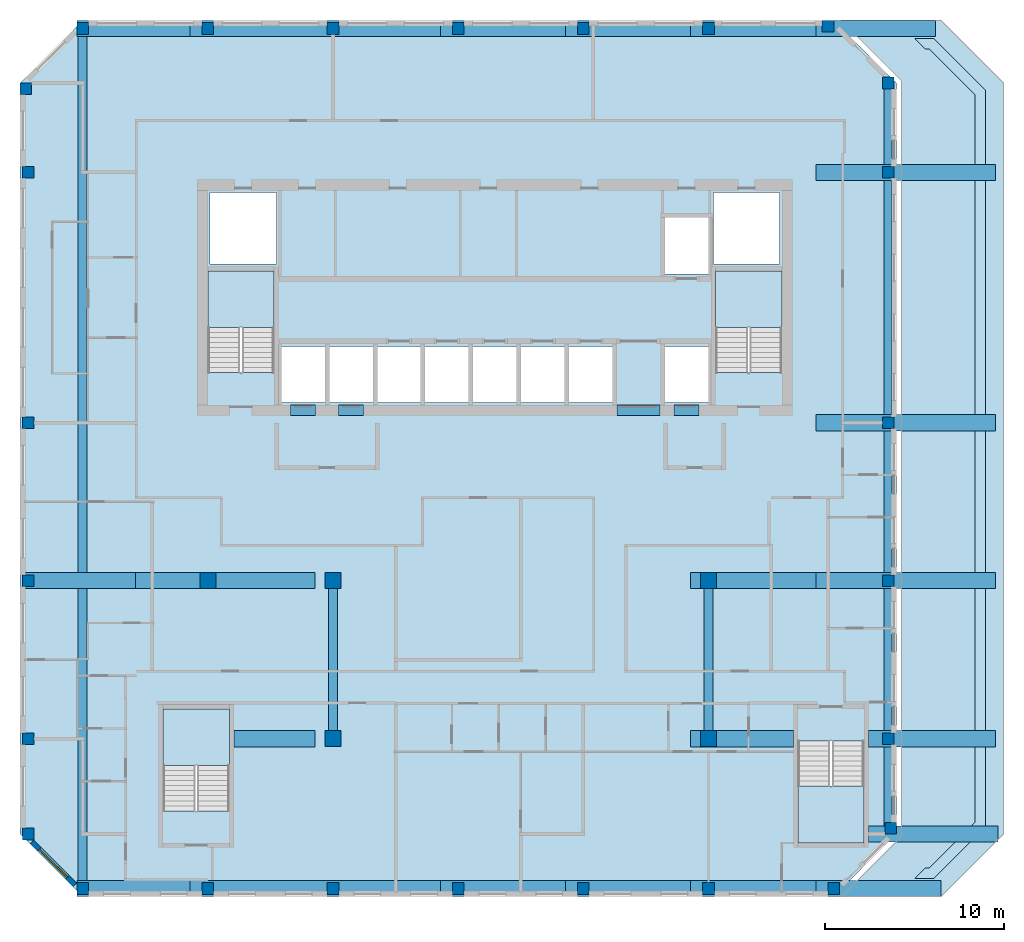
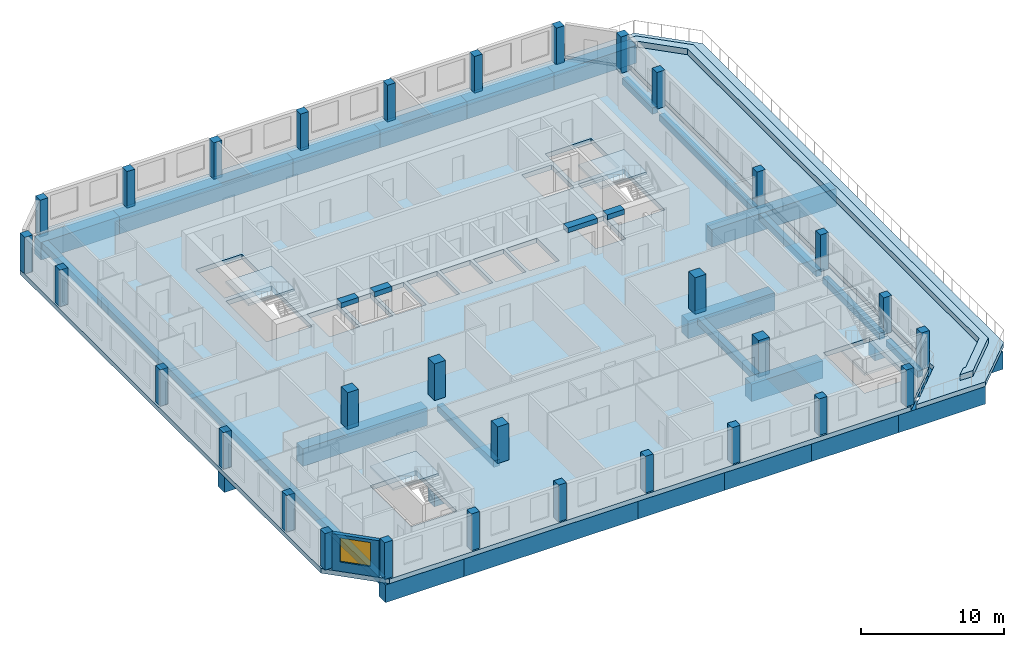
# One storey, part 1 of 13: 34 beams, 31 columns, 7 slabs, 1 wall, 1 window, 1 opening, 4 elements without a shape of their own.
"""IFC4 building model written with IfcOpenShell, lengths in metres."""

from ifc_helpers import new_model, si_unit, direction, frame, frame_2d, origin, origin_2d, place, context, subcontext, project, spatial, polyline, rectangle, outline, extrude, source, transform, mapped, material, layer, layer_set, material_profile, profile_set, type_object, element, fill, aggregate, save


model = new_model("IFC4")

# Units and contexts
model_context = context("Model", 3, precision=1e-05, world=origin(), true_north=direction((0.0, 1.0)))
body_context = subcontext(model_context, "Body", "Model", "MODEL_VIEW")
ifc_project = project(units=[si_unit("LENGTHUNIT", "METRE"), si_unit("AREAUNIT", "SQUARE_METRE"), si_unit("VOLUMEUNIT", "CUBIC_METRE"), si_unit("PLANEANGLEUNIT", "RADIAN"), si_unit("MASSUNIT", "GRAM", prefix="KILO")], contexts=[model_context])

# Site, building, storey
site_placement = place(None, origin())
site = spatial("IfcSite", under=ifc_project, at=site_placement, CompositionType="ELEMENT")
building_placement = place(site_placement, origin())
building = spatial("IfcBuilding", under=site, at=building_placement, Name="Kilnfold Tower and Market Hall", CompositionType="ELEMENT")
storey_placement = place(building_placement, frame((0.0, 0.0, 267.0)))
storey = spatial("IfcBuildingStorey", under=building, at=storey_placement, Name="L65", CompositionType="ELEMENT", Elevation=267.0)

# Columns
ifc_material_1 = material(Name="Concrete C60", Category="concrete")
ifc_material_profile_1 = material_profile(ifc_material_1, rectangle(XDim=0.64990234375, YDim=0.64990234375, at=origin_2d()), Name="RC 650x650")
ifc_profile_set_1 = profile_set([ifc_material_profile_1], Name="Concrete C60")
column_type_1 = type_object("IfcColumnType", Name="COLUMN 650X650 C60", PredefinedType="COLUMN", material=ifc_profile_set_1)
shared_shape_1 = source(origin(), body_context, "Body", "SweptSolid", [
    extrude(rectangle(XDim=0.64990234375, YDim=0.64990234375, at=origin_2d()), origin(), (0.0, 0.0, 1.0), 3.1201171875),
])
for number, where, z_axis, x_axis, name in (
    (1, (-25.181884765625, 26.681884765625, 0.0), (0.0, 0.0, 1.0), (1.0, 0.0, 0.0), "Column C-B8-1G"),
    (2, (-25.050048828125, -15.0, 0.0), (0.0, 0.0, 1.0), (1.0, 0.0, 0.0), "Column C-B8-1B"),
    (3, (-25.050048828125, -9.666748046875, 0.0), (0.0, 0.0, 1.0), (1.0, 0.0, 0.0), "Column C-B8-1C"),
    (4, (-25.050048828125, -0.833251953125, 0.0), (0.0, 0.0, 1.0), (1.0, 0.0, 0.0), "Column C-B8-1D"),
    (5, (-25.050048828125, 8.0, 0.0), (0.0, 0.0, 1.0), (1.0, 0.0, 0.0), "Column C-B8-1E"),
    (6, (-25.050048828125, 22.0, 0.0), (0.0, 0.0, 1.0), (1.0, 0.0, 0.0), "Column C-B8-1F"),
    (7, (-22.0, -18.050048828125, 0.0), (0.0, 0.0, 1.0), (1.0, 0.0, 0.0), "Column C-B8-2A"),
    (8, (-22.0, 30.050048828125, 0.0), (0.0, 0.0, 1.0), (1.0, 0.0, 0.0), "Column C-B8-2H"),
    (9, (-15.0, -18.050048828125, 0.0), (0.0, 0.0, 1.0), (1.0, 0.0, 0.0), "Column C-B8-3A"),
    (10, (-15.0, 30.050048828125, 0.0), (0.0, 0.0, 1.0), (1.0, 0.0, 0.0), "Column C-B8-3H"),
    (11, (-8.0, -18.050048828125, 0.0), (0.0, 0.0, 1.0), (1.0, 0.0, 0.0), "Column C-B8-4A"),
    (12, (-8.0, 30.050048828125, 0.0), (0.0, 0.0, 1.0), (1.0, 0.0, 0.0), "Column C-B8-4H"),
    (13, (-1.0, -18.050048828125, 0.0), (0.0, 0.0, 1.0), (1.0, 0.0, 0.0), "Column C-B8-5A"),
    (14, (-1.0, 30.050048828125, 0.0), (0.0, 0.0, 1.0), (1.0, 0.0, 0.0), "Column C-B8-5H"),
    (15, (6.0, -18.050048828125, 0.0), (0.0, 0.0, 1.0), (1.0, 0.0, 0.0), "Column C-B8-6A"),
    (16, (6.0, 30.050048828125, 0.0), (0.0, 0.0, 1.0), (1.0, 0.0, 0.0), "Column C-B8-6H"),
    (17, (13.0, -18.050048828125, 0.0), (0.0, 0.0, 1.0), (1.0, 0.0, 0.0), "Column C-B8-7A"),
    (18, (13.0, 30.050048828125, 0.0), (0.0, 0.0, 1.0), (1.0, 0.0, 0.0), "Column C-B8-7H"),
    (19, (19.681884765625, 30.181884765625, 0.0), (0.0, 0.0, 1.0), (1.0, 0.0, 0.0), "Column C-B8-8H"),
    (20, (20.0, -18.050048828125, 0.0), (0.0, 0.0, 1.0), (1.0, 0.0, 0.0), "Column C-B8-8A"),
    (21, (23.050048828125, -9.666748046875, 0.0), (0.0, 0.0, 1.0), (1.0, 0.0, 0.0), "Column C-B8-9C"),
    (22, (23.050048828125, -0.833251953125, 0.0), (0.0, 0.0, 1.0), (1.0, 0.0, 0.0), "Column C-B8-9D"),
    (23, (23.050048828125, 8.0, 0.0), (0.0, 0.0, 1.0), (1.0, 0.0, 0.0), "Column C-B8-9E"),
    (24, (23.050048828125, 22.0, 0.0), (0.0, 0.0, 1.0), (1.0, 0.0, 0.0), "Column C-B8-9F"),
    (25, (23.050048828125, 27.0, 0.0), (0.0, 0.0, 1.0), (1.0, 0.0, 0.0), "Column C-B8-9G"),
    (26, (23.181884765625, -14.681884765625, 0.0), (0.0, 0.0, 1.0), (1.0, 0.0, 0.0), "Column C-B8-9B"),
):
    element("IfcColumn", number, at=place(storey_placement, frame(where, z_axis=z_axis, x_axis=x_axis)), inside=storey, type_object=column_type_1, Name=name, PredefinedType="COLUMN", context=body_context, shape_type="MappedRepresentation", body=[
        mapped(shared_shape_1, transform((0.0, 0.0, 0.0))),
    ])
ifc_material_2 = material(Name="Concrete C60", Category="concrete")
ifc_material_profile_2 = material_profile(ifc_material_2, rectangle(XDim=0.89990234375, YDim=0.89990234375, at=origin_2d()), Name="RC 900x900")
ifc_profile_set_2 = profile_set([ifc_material_profile_2], Name="Concrete C60")
column_type_2 = type_object("IfcColumnType", Name="COLUMN 900X900 C60", PredefinedType="COLUMN", material=ifc_profile_set_2)
shared_shape_2 = source(origin(), body_context, "Body", "SweptSolid", [
    extrude(rectangle(XDim=0.89990234375, YDim=0.89990234375, at=origin_2d()), origin(), (0.0, 0.0, 1.0), 3.1201171875),
])
for number, where, z_axis, x_axis, name in (
    (27, (-15.0, -0.833251953125, 0.0), (0.0, 0.0, 1.0), (1.0, 0.0, 0.0), "Column C-B8-3D"),
    (28, (-8.0, -9.666748046875, 0.0), (0.0, 0.0, 1.0), (1.0, 0.0, 0.0), "Column C-B8-4C"),
    (29, (-8.0, -0.833251953125, 0.0), (0.0, 0.0, 1.0), (1.0, 0.0, 0.0), "Column C-B8-4D"),
    (30, (13.0, -9.666748046875, 0.0), (0.0, 0.0, 1.0), (1.0, 0.0, 0.0), "Column C-B8-7C"),
    (31, (13.0, -0.833251953125, 0.0), (0.0, 0.0, 1.0), (1.0, 0.0, 0.0), "Column C-B8-7D"),
):
    element("IfcColumn", number, at=place(storey_placement, frame(where, z_axis=z_axis, x_axis=x_axis)), inside=storey, type_object=column_type_2, Name=name, PredefinedType="COLUMN", context=body_context, shape_type="MappedRepresentation", body=[
        mapped(shared_shape_2, transform((0.0, 0.0, 0.0))),
    ])

# Beams
ifc_material_3 = material(Name="Concrete C60", Category="concrete")
ifc_material_profile_3 = material_profile(ifc_material_3, rectangle(XDim=0.89990234375, YDim=1.5, at=origin_2d()), Name="RC 900x1500")
ifc_profile_set_3 = profile_set([ifc_material_profile_3], Name="Concrete C60")
beam_type_1 = type_object("IfcBeamType", Name="TRANSFER GIRDER 900X1500 C60", PredefinedType="BEAM", material=ifc_profile_set_3)
shared_shape_3 = source(origin(), body_context, "Body", "SweptSolid", [
    extrude(rectangle(XDim=0.89990234375, YDim=1.5, at=origin_2d()), origin(), (0.0, 0.0, 1.0), 10.050048828125),
])
for number, where, z_axis, x_axis, name in (
    (32, (-19.050048828125, -0.830078125, -1.14990234375), (1.0, 0.0, 0.0), (0.0, 1.0, 0.0), "Beam TG1500-B8.4"),
    (33, (19.0, -0.830078125, -1.14990234375), (1.0, 0.0, 0.0), (0.0, 1.0, 0.0), "Beam TG1500-B8.17"),
    (34, (19.0, 8.0, -1.14990234375), (1.0, 0.0, 0.0), (0.0, 1.0, 0.0), "Beam TG1500-B8.18"),
    (35, (19.0, 22.0, -1.14990234375), (1.0, 0.0, 0.0), (0.0, 1.0, 0.0), "Beam TG1500-B8.19"),
):
    element("IfcBeam", number, at=place(storey_placement, frame(where, z_axis=z_axis, x_axis=x_axis)), inside=storey, type_object=beam_type_1, Name=name, PredefinedType="BEAM", context=body_context, shape_type="MappedRepresentation", body=[
        mapped(shared_shape_3, transform((0.0, 0.0, 0.0))),
    ])
shared_shape_4 = source(origin(), body_context, "Body", "SweptSolid", [
    extrude(rectangle(XDim=0.89990234375, YDim=1.5, at=origin_2d()), origin(), (0.0, 0.0, 1.0), 7.0),
])
for number, where, z_axis, x_axis, name in (
    (36, (-2.0, -18.050048828125, -1.14990234375), (1.0, 0.0, 0.0), (0.0, 1.0, 0.0), "Beam TG1500-B8.8"),
    (37, (-2.0, 30.050048828125, -1.14990234375), (1.0, 0.0, 0.0), (0.0, 1.0, 0.0), "Beam TG1500-B8.9"),
    (38, (5.0, -18.050048828125, -1.14990234375), (1.0, 0.0, 0.0), (0.0, 1.0, 0.0), "Beam TG1500-B8.10"),
    (39, (5.0, 30.050048828125, -1.14990234375), (1.0, 0.0, 0.0), (0.0, 1.0, 0.0), "Beam TG1500-B8.11"),
    (40, (12.0, -18.050048828125, -1.14990234375), (1.0, 0.0, 0.0), (0.0, 1.0, 0.0), "Beam TG1500-B8.12"),
    (41, (12.0, -0.830078125, -1.14990234375), (1.0, 0.0, 0.0), (0.0, 1.0, 0.0), "Beam TG1500-B8.14"),
    (42, (12.0, 30.050048828125, -1.14990234375), (1.0, 0.0, 0.0), (0.0, 1.0, 0.0), "Beam TG1500-B8.15"),
    (43, (19.0, -18.050048828125, -1.14990234375), (1.0, 0.0, 0.0), (0.0, 1.0, 0.0), "Beam TG1500-B8.16"),
):
    element("IfcBeam", number, at=place(storey_placement, frame(where, z_axis=z_axis, x_axis=x_axis)), inside=storey, type_object=beam_type_1, Name=name, PredefinedType="BEAM", context=body_context, shape_type="MappedRepresentation", body=[
        mapped(shared_shape_4, transform((0.0, 0.0, 0.0))),
    ])
shared_shape_5 = source(origin(), body_context, "Body", "SweptSolid", [
    extrude(rectangle(XDim=0.89990234375, YDim=1.5, at=origin_2d()), origin(), (0.0, 0.0, 1.0), 14.0),
])
for number, where, z_axis, x_axis, name in (
    (44, (-16.0, -18.050048828125, -1.14990234375), (1.0, 0.0, 0.0), (0.0, 1.0, 0.0), "Beam TG1500-B8.5"),
    (45, (-16.0, 30.050048828125, -1.14990234375), (1.0, 0.0, 0.0), (0.0, 1.0, 0.0), "Beam TG1500-B8.6"),
):
    element("IfcBeam", number, at=place(storey_placement, frame(where, z_axis=z_axis, x_axis=x_axis)), inside=storey, type_object=beam_type_1, Name=name, PredefinedType="BEAM", context=body_context, shape_type="MappedRepresentation", body=[
        mapped(shared_shape_5, transform((0.0, 0.0, 0.0))),
    ])
shared_shape_6 = source(origin(), body_context, "Body", "SweptSolid", [
    extrude(rectangle(XDim=0.89990234375, YDim=1.5, at=origin_2d()), origin(), (0.0, 0.0, 1.0), 5.75),
])
beam_1_placement = place(storey_placement, frame((12.0, -9.669921875, -1.14990234375), z_axis=(1.0, 0.0, 0.0), x_axis=(0.0, 1.0, 0.0)))
element("IfcBeam", 46, at=beam_1_placement, inside=storey, type_object=beam_type_1, Name="Beam TG1500-B8.13", PredefinedType="BEAM", context=body_context, shape_type="MappedRepresentation", body=[
    mapped(shared_shape_6, transform((0.0, 0.0, 0.0))),
])
ifc_material_4 = material(Name="Concrete C50", Category="concrete")
ifc_material_profile_4 = material_profile(ifc_material_4, rectangle(XDim=0.60009765625, YDim=0.419921875, at=origin_2d()), Name="RC 600x420")
ifc_profile_set_4 = profile_set([ifc_material_profile_4], Name="Concrete C50")
beam_type_2 = type_object("IfcBeamType", Name="COUPLING BEAM 600X420 C50", PredefinedType="BEAM", material=ifc_profile_set_4)
shared_shape_7 = source(origin(), body_context, "Body", "SweptSolid", [
    extrude(rectangle(XDim=0.60009765625, YDim=0.419921875, at=origin_2d()), origin(), (0.0, 0.0, 1.0), 1.400146484375),
])
beam_2_placement = place(storey_placement, frame((-10.3701171875, 8.699951171875, 2.909912109375), z_axis=(1.0, 0.0, 0.0), x_axis=(0.0, 1.0, 0.0)))
element("IfcBeam", 47, at=beam_2_placement, inside=storey, type_object=beam_type_2, Name="Coupling beam CB420-50-CORE.30", PredefinedType="BEAM", context=body_context, shape_type="MappedRepresentation", body=[
    mapped(shared_shape_7, transform((0.0, 0.0, 0.0))),
])
shared_shape_8 = source(origin(), body_context, "Body", "SweptSolid", [
    extrude(rectangle(XDim=0.60009765625, YDim=0.419921875, at=origin_2d()), origin(), (0.0, 0.0, 1.0), 1.39990234375),
])
for number, where, z_axis, x_axis, name in (
    (48, (-7.68994140625, 8.699951171875, 2.909912109375), (1.0, 0.0, 0.0), (0.0, 1.0, 0.0), "Coupling beam CB420-50-CORE.31"),
    (49, (11.070068359375, 8.699951171875, 2.909912109375), (1.0, 0.0, 0.0), (0.0, 1.0, 0.0), "Coupling beam CB420-50-CORE.33"),
):
    element("IfcBeam", number, at=place(storey_placement, frame(where, z_axis=z_axis, x_axis=x_axis)), inside=storey, type_object=beam_type_2, Name=name, PredefinedType="BEAM", context=body_context, shape_type="MappedRepresentation", body=[
        mapped(shared_shape_8, transform((0.0, 0.0, 0.0))),
    ])
shared_shape_9 = source(origin(), body_context, "Body", "SweptSolid", [
    extrude(rectangle(XDim=0.60009765625, YDim=0.419921875, at=origin_2d()), origin(), (0.0, 0.0, 1.0), 2.400146484375),
])
beam_3_placement = place(storey_placement, frame((7.889892578125, 8.699951171875, 2.909912109375), z_axis=(1.0, 0.0, 0.0), x_axis=(0.0, 1.0, 0.0)))
element("IfcBeam", 50, at=beam_3_placement, inside=storey, type_object=beam_type_2, Name="Coupling beam CB420-50-CORE.32", PredefinedType="BEAM", context=body_context, shape_type="MappedRepresentation", body=[
    mapped(shared_shape_9, transform((0.0, 0.0, 0.0))),
])
shared_shape_10 = source(origin(), body_context, "Body", "SweptSolid", [
    extrude(rectangle(XDim=0.89990234375, YDim=1.5, at=origin_2d()), origin(), (0.0, 0.0, 1.0), 6.324951171875),
])
for number, where, z_axis, x_axis, name in (
    (51, (-25.375, -0.830078125, -1.14990234375), (1.0, 0.0, 0.0), (0.0, 1.0, 0.0), "Beam TG1500-B8.1"),
    (52, (-22.324951171875, -18.050048828125, -1.14990234375), (1.0, 0.0, 0.0), (0.0, 1.0, 0.0), "Beam TG1500-B8.2"),
    (53, (-22.324951171875, 30.050048828125, -1.14990234375), (1.0, 0.0, 0.0), (0.0, 1.0, 0.0), "Beam TG1500-B8.3"),
):
    element("IfcBeam", number, at=place(storey_placement, frame(where, z_axis=z_axis, x_axis=x_axis)), inside=storey, type_object=beam_type_1, Name=name, PredefinedType="BEAM", context=body_context, shape_type="MappedRepresentation", body=[
        mapped(shared_shape_10, transform((0.0, 0.0, 0.0))),
    ])
shared_shape_11 = source(origin(), body_context, "Body", "SweptSolid", [
    extrude(rectangle(XDim=0.89990234375, YDim=1.5, at=origin_2d()), origin(), (0.0, 0.0, 1.0), 4.550048828125),
])
beam_4_placement = place(storey_placement, frame((-13.550048828125, -9.669921875, -1.14990234375), z_axis=(1.0, 0.0, 0.0), x_axis=(0.0, 1.0, 0.0)))
element("IfcBeam", 54, at=beam_4_placement, inside=storey, type_object=beam_type_1, Name="Beam TG1500-B8.7", PredefinedType="BEAM", context=body_context, shape_type="MappedRepresentation", body=[
    mapped(shared_shape_11, transform((0.0, 0.0, 0.0))),
])
shared_shape_12 = source(origin(), body_context, "Body", "SweptSolid", [
    extrude(rectangle(XDim=0.89990234375, YDim=1.5, at=origin_2d()), origin(), (0.0, 0.0, 1.0), 6.681884765625),
])
beam_5_placement = place(storey_placement, frame((19.0, 30.050048828125, -1.14990234375), z_axis=(1.0, 0.0, 0.0), x_axis=(0.0, 1.0, 0.0)))
element("IfcBeam", 55, at=beam_5_placement, inside=storey, type_object=beam_type_1, Name="Beam TG1500-B8.20", PredefinedType="BEAM", context=body_context, shape_type="MappedRepresentation", body=[
    mapped(shared_shape_12, transform((0.0, 0.0, 0.0))),
])
shared_shape_13 = source(origin(), body_context, "Body", "SweptSolid", [
    extrude(rectangle(XDim=0.89990234375, YDim=1.5, at=origin_2d()), origin(), (0.0, 0.0, 1.0), 7.23193359375),
])
beam_6_placement = place(storey_placement, frame((21.949951171875, -15.0, -1.14990234375), z_axis=(1.0, 0.0, 0.0), x_axis=(0.0, 1.0, 0.0)))
element("IfcBeam", 56, at=beam_6_placement, inside=storey, type_object=beam_type_1, Name="Beam TG1500-B8.21", PredefinedType="BEAM", context=body_context, shape_type="MappedRepresentation", body=[
    mapped(shared_shape_13, transform((0.0, 0.0, 0.0))),
])
shared_shape_14 = source(origin(), body_context, "Body", "SweptSolid", [
    extrude(rectangle(XDim=0.89990234375, YDim=1.5, at=origin_2d()), origin(), (0.0, 0.0, 1.0), 7.10009765625),
])
beam_7_placement = place(storey_placement, frame((21.949951171875, -9.669921875, -1.14990234375), z_axis=(1.0, 0.0, 0.0), x_axis=(0.0, 1.0, 0.0)))
element("IfcBeam", 57, at=beam_7_placement, inside=storey, type_object=beam_type_1, Name="Beam TG1500-B8.22", PredefinedType="BEAM", context=body_context, shape_type="MappedRepresentation", body=[
    mapped(shared_shape_14, transform((0.0, 0.0, 0.0))),
])
ifc_material_5 = material(Name="Concrete C45", Category="concrete")
ifc_material_profile_5 = material_profile(ifc_material_5, rectangle(XDim=0.5, YDim=0.550048828125, at=origin_2d()), Name="RC 500x550")
ifc_profile_set_5 = profile_set([ifc_material_profile_5], Name="Concrete C45")
beam_type_3 = type_object("IfcBeamType", Name="BEAM 500X550 C45", PredefinedType="BEAM", material=ifc_profile_set_5)
shared_shape_15 = source(origin(), body_context, "Body", "SweptSolid", [
    extrude(rectangle(XDim=0.5, YDim=0.550048828125, at=origin_2d()), origin(), (0.0, 0.0, 1.0), 47.2001953125),
])
beam_8_placement = place(storey_placement, frame((-22.0, -17.60009765625, -0.675048828125), z_axis=(0.0, 1.0, 0.0), x_axis=(-1.0, 0.0, 0.0)))
element("IfcBeam", 58, at=beam_8_placement, inside=storey, type_object=beam_type_3, Name="Beam BB550-B8.23", PredefinedType="BEAM", context=body_context, shape_type="MappedRepresentation", body=[
    mapped(shared_shape_15, transform((0.0, 0.0, 0.0))),
])
shared_shape_16 = source(origin(), body_context, "Body", "SweptSolid", [
    extrude(rectangle(XDim=0.5, YDim=0.550048828125, at=origin_2d()), origin(), (0.0, 0.0, 1.0), 7.93994140625),
])
for number, where, z_axis, x_axis, name in (
    (59, (-8.0, -9.219970703125, -0.675048828125), (0.0, 1.0, 0.0), (-1.0, 0.0, 0.0), "Beam BB550-B8.24"),
    (60, (13.0, -9.219970703125, -0.675048828125), (0.0, 1.0, 0.0), (-1.0, 0.0, 0.0), "Beam BB550-B8.25"),
):
    element("IfcBeam", number, at=place(storey_placement, frame(where, z_axis=z_axis, x_axis=x_axis)), inside=storey, type_object=beam_type_3, Name=name, PredefinedType="BEAM", context=body_context, shape_type="MappedRepresentation", body=[
        mapped(shared_shape_16, transform((0.0, 0.0, 0.0))),
    ])
ifc_material_6 = material(Name="Concrete C45", Category="concrete")
ifc_material_profile_6 = material_profile(ifc_material_6, rectangle(XDim=0.449951171875, YDim=0.550048828125, at=origin_2d()), Name="RC 450x550")
ifc_profile_set_6 = profile_set([ifc_material_profile_6], Name="Concrete C45")
beam_type_4 = type_object("IfcBeamType", Name="EDGE BEAM 450X550 C45", PredefinedType="BEAM", material=ifc_profile_set_6)
shared_shape_17 = source(origin(), body_context, "Body", "SweptSolid", [
    extrude(rectangle(XDim=0.449951171875, YDim=0.550048828125, at=origin_2d()), origin(), (0.0, 0.0, 1.0), 4.429931640625),
])
beam_9_placement = place(storey_placement, frame((23.050048828125, -14.550048828125, -0.675048828125), z_axis=(0.0, 1.0, 0.0), x_axis=(-1.0, 0.0, 0.0)))
element("IfcBeam", 61, at=beam_9_placement, inside=storey, type_object=beam_type_4, Name="Beam EB550-B8.26", PredefinedType="BEAM", context=body_context, shape_type="MappedRepresentation", body=[
    mapped(shared_shape_17, transform((0.0, 0.0, 0.0))),
])
shared_shape_18 = source(origin(), body_context, "Body", "SweptSolid", [
    extrude(rectangle(XDim=0.449951171875, YDim=0.550048828125, at=origin_2d()), origin(), (0.0, 0.0, 1.0), 7.93994140625),
])
beam_10_placement = place(storey_placement, frame((23.050048828125, -9.219970703125, -0.675048828125), z_axis=(0.0, 1.0, 0.0), x_axis=(-1.0, 0.0, 0.0)))
element("IfcBeam", 62, at=beam_10_placement, inside=storey, type_object=beam_type_4, Name="Beam EB550-B8.27", PredefinedType="BEAM", context=body_context, shape_type="MappedRepresentation", body=[
    mapped(shared_shape_18, transform((0.0, 0.0, 0.0))),
])
shared_shape_19 = source(origin(), body_context, "Body", "SweptSolid", [
    extrude(rectangle(XDim=0.449951171875, YDim=0.550048828125, at=origin_2d()), origin(), (0.0, 0.0, 1.0), 7.929931640625),
])
beam_11_placement = place(storey_placement, frame((23.050048828125, -0.3798828125, -0.675048828125), z_axis=(0.0, 1.0, 0.0), x_axis=(-1.0, 0.0, 0.0)))
element("IfcBeam", 63, at=beam_11_placement, inside=storey, type_object=beam_type_4, Name="Beam EB550-B8.28", PredefinedType="BEAM", context=body_context, shape_type="MappedRepresentation", body=[
    mapped(shared_shape_19, transform((0.0, 0.0, 0.0))),
])
shared_shape_20 = source(origin(), body_context, "Body", "SweptSolid", [
    extrude(rectangle(XDim=0.449951171875, YDim=0.550048828125, at=origin_2d()), origin(), (0.0, 0.0, 1.0), 13.10009765625),
])
beam_12_placement = place(storey_placement, frame((23.050048828125, 8.449951171875, -0.675048828125), z_axis=(0.0, 1.0, 0.0), x_axis=(-1.0, 0.0, 0.0)))
element("IfcBeam", 64, at=beam_12_placement, inside=storey, type_object=beam_type_4, Name="Beam EB550-B8.29", PredefinedType="BEAM", context=body_context, shape_type="MappedRepresentation", body=[
    mapped(shared_shape_20, transform((0.0, 0.0, 0.0))),
])
shared_shape_21 = source(origin(), body_context, "Body", "SweptSolid", [
    extrude(rectangle(XDim=0.449951171875, YDim=0.550048828125, at=origin_2d()), origin(), (0.0, 0.0, 1.0), 4.22509765625),
])
beam_13_placement = place(storey_placement, frame((23.050048828125, 22.449951171875, -0.675048828125), z_axis=(0.0, 1.0, 0.0), x_axis=(-1.0, 0.0, 0.0)))
element("IfcBeam", 65, at=beam_13_placement, inside=storey, type_object=beam_type_4, Name="Beam EB550-B8.30", PredefinedType="BEAM", context=body_context, shape_type="MappedRepresentation", body=[
    mapped(shared_shape_21, transform((0.0, 0.0, 0.0))),
])

# Slabs
ifc_material_7 = material(Name="Concrete C45", Category="concrete")
ifc_layer_1 = layer(ifc_material_7, 0.39990234375)
ifc_layer_set_1 = layer_set([ifc_layer_1], Name="Concrete C45")
slab_type_1 = type_object("IfcSlabType", Name="FLOOR SLAB 400", PredefinedType="FLOOR", material=ifc_layer_set_1)
shared_shape_22 = source(origin(), body_context, "Body", "SweptSolid", [
    extrude(outline(polyline([(-22.0, -18.5), (20.0, -18.5), (23.5, -15.0), (23.5, 27.0), (20.0, 30.5), (-22.0, 30.5), (-25.5, 27.0), (-25.5, -15.0), (-22.0, -18.5)]), holes=[polyline([(-13.800537109375, -8.00048828125), (-13.800537109375, -13.699462890625), (-17.49951171875, -13.699462890625), (-17.49951171875, -8.00048828125), (-13.800537109375, -8.00048828125)]), polyline([(-11.300537109375, 10.800537109375), (-14.99951171875, 10.800537109375), (-14.99951171875, 16.49951171875), (-11.300537109375, 16.49951171875), (-11.300537109375, 10.800537109375)]), polyline([(-11.175048828125, 16.875), (-14.875, 16.875), (-14.875, 20.875), (-11.175048828125, 20.875), (-11.175048828125, 16.875)]), polyline([(-8.455078125, 9.125), (-10.885009765625, 9.125), (-10.885009765625, 12.27490234375), (-8.455078125, 12.27490234375), (-8.455078125, 9.125)]), polyline([(-5.77490234375, 9.125), (-8.205078125, 9.125), (-8.205078125, 12.27490234375), (-5.77490234375, 12.27490234375), (-5.77490234375, 9.125)]), polyline([(-3.094970703125, 9.125), (-5.52490234375, 9.125), (-5.52490234375, 12.27490234375), (-3.094970703125, 12.27490234375), (-3.094970703125, 9.125)]), polyline([(-0.4150390625, 9.125), (-2.844970703125, 9.125), (-2.844970703125, 12.27490234375), (-0.4150390625, 12.27490234375), (-0.4150390625, 9.125)]), polyline([(2.264892578125, 9.125), (-0.1650390625, 9.125), (-0.1650390625, 12.27490234375), (2.264892578125, 12.27490234375), (2.264892578125, 9.125)]), polyline([(4.945068359375, 9.125), (2.514892578125, 9.125), (2.514892578125, 12.27490234375), (4.945068359375, 12.27490234375), (4.945068359375, 9.125)]), polyline([(7.625, 9.125), (5.195068359375, 9.125), (5.195068359375, 12.27490234375), (7.625, 12.27490234375), (7.625, 9.125)]), polyline([(12.985107421875, 9.125), (10.554931640625, 9.125), (10.554931640625, 12.27490234375), (12.985107421875, 12.27490234375), (12.985107421875, 9.125)]), polyline([(12.985107421875, 16.324951171875), (10.554931640625, 16.324951171875), (10.554931640625, 19.47509765625), (12.985107421875, 19.47509765625), (12.985107421875, 16.324951171875)]), polyline([(16.97509765625, 16.875), (13.27490234375, 16.875), (13.27490234375, 20.875), (16.97509765625, 20.875), (16.97509765625, 16.875)]), polyline([(17.099609375, 10.800537109375), (13.400390625, 10.800537109375), (13.400390625, 16.49951171875), (17.099609375, 16.49951171875), (17.099609375, 10.800537109375)]), polyline([(18.00048828125, -9.800537109375), (21.699462890625, -9.800537109375), (21.699462890625, -15.49951171875), (18.00048828125, -15.49951171875), (18.00048828125, -9.800537109375)])]), origin(), (0.0, 0.0, 1.0), 0.400146484375),
])
slab_1_placement = place(storey_placement, frame((0.0, 0.0, -0.400146484375)))
element("IfcSlab", 66, at=slab_1_placement, inside=storey, type_object=slab_type_1, Name="Floor slab L65", PredefinedType="FLOOR", context=body_context, shape_type="MappedRepresentation", body=[
    mapped(shared_shape_22, transform((0.0, 0.0, 0.0))),
])
ifc_material_8 = material(Name="Concrete C40/50", Category="concrete")
ifc_layer_2 = layer(ifc_material_8, 0.39990234375)
ifc_layer_set_2 = layer_set([ifc_layer_2], Name="Concrete C40/50")
slab_type_2 = type_object("IfcSlabType", Name="TOWER TERRACE SLAB 400", PredefinedType="ROOF", material=ifc_layer_set_2)
shared_shape_23 = source(origin(), body_context, "Body", "SweptSolid", [
    extrude(outline(polyline([(26.0, 30.5), (29.5, 27.0), (29.5, -15.0), (26.0, -18.5), (20.42431640625, -18.5), (23.800048828125, -15.124267578125), (23.800048828125, 27.124267578125), (20.42431640625, 30.5), (26.0, 30.5)])), origin(), (0.0, 0.0, 1.0), 0.39990234375),
])
slab_2_placement = place(storey_placement, frame((0.0, 0.0, -0.39990234375)))
element("IfcSlab", 67, at=slab_2_placement, inside=storey, type_object=slab_type_2, Name="Terrace slab L65 1", PredefinedType="ROOF", context=body_context, shape_type="MappedRepresentation", body=[
    mapped(shared_shape_23, transform((0.0, 0.0, 0.0))),
])
ifc_material_9 = material(Name="Concrete C40/50", Category="concrete")
ifc_layer_3 = layer(ifc_material_9, 0.5)
ifc_layer_set_3 = layer_set([ifc_layer_3], Name="Concrete C40/50")
slab_type_3 = type_object("IfcSlabType", Name="PLANTER BED 500", PredefinedType="ROOF", material=ifc_layer_set_3)
shared_shape_24 = source(origin(), body_context, "Body", "SweptSolid", [
    extrude(outline(polyline([(28.5, -14.585693359375), (25.585693359375, -17.5), (24.535400390625, -17.5), (25.135498046875, -16.89990234375), (25.33740234375, -16.89990234375), (27.89990234375, -14.33740234375), (27.89990234375, 26.33740234375), (25.33740234375, 28.89990234375), (25.135498046875, 28.89990234375), (24.535400390625, 29.5), (25.585693359375, 29.5), (28.5, 26.585693359375), (28.5, -14.585693359375)])), origin(), (0.0, 0.0, 1.0), 0.5),
])
slab_3_placement = place(storey_placement, origin())
element("IfcSlab", 68, at=slab_3_placement, inside=storey, type_object=slab_type_3, Name="Planter bed L65 1.1", PredefinedType="ROOF", context=body_context, shape_type="MappedRepresentation", body=[
    mapped(shared_shape_24, transform((0.0, 0.0, 0.0))),
])

# Stair, slab
ifc_material_10 = material(Name="Concrete C40/50", Category="concrete")
stair_type = type_object("IfcStairType", Name="CORE STAIR 1800", PredefinedType="HALF_TURN_STAIR", material=ifc_material_10)
stair_1_placement = place(storey_placement, origin())
stair_1 = element("IfcStair", 69, at=stair_1_placement, inside=storey, type_object=stair_type, Name="L65 ST1", PredefinedType="HALF_TURN_STAIR")
ifc_material_11 = material(Name="Concrete C40/50", Category="concrete")
ifc_layer_4 = layer(ifc_material_11, 0.199951171875)
ifc_layer_set_4 = layer_set([ifc_layer_4], Name="Concrete C40/50")
slab_type_4 = type_object("IfcSlabType", Name="CORE STAIR LANDING 200", PredefinedType="LANDING", material=ifc_layer_set_4)
shared_shape_25 = source(origin(), body_context, "Body", "SweptSolid", [
    extrude(outline(polyline([(-11.300048828125, 13.320068359375), (-11.300048828125, 16.5), (-15.0, 16.5), (-15.0, 13.320068359375), (-11.300048828125, 13.320068359375)])), origin(), (0.0, 0.0, 1.0), 0.199951171875),
])
slab_4_placement = place(storey_placement, frame((0.0, 0.0, 1.5)))
slab_4 = element("IfcSlab", 70, at=slab_4_placement, type_object=slab_type_4, Name="ST1 landing 1", PredefinedType="LANDING", context=body_context, shape_type="MappedRepresentation", body=[
    mapped(shared_shape_25, transform((0.0, 0.0, 0.0))),
])
aggregate(stair_1, [slab_4])

stair_2_placement = place(storey_placement, origin())
stair_2 = element("IfcStair", 71, at=stair_2_placement, inside=storey, type_object=stair_type, Name="L65 ST2", PredefinedType="HALF_TURN_STAIR")
shared_shape_26 = source(origin(), body_context, "Body", "SweptSolid", [
    extrude(outline(polyline([(17.10009765625, 13.320068359375), (17.10009765625, 16.5), (13.39990234375, 16.5), (13.39990234375, 13.320068359375), (17.10009765625, 13.320068359375)])), origin(), (0.0, 0.0, 1.0), 0.199951171875),
])
slab_5_placement = place(storey_placement, frame((0.0, 0.0, 1.5)))
slab_5 = element("IfcSlab", 72, at=slab_5_placement, type_object=slab_type_4, Name="ST2 landing 1", PredefinedType="LANDING", context=body_context, shape_type="MappedRepresentation", body=[
    mapped(shared_shape_26, transform((0.0, 0.0, 0.0))),
])
aggregate(stair_2, [slab_5])

stair_3_placement = place(storey_placement, origin())
stair_3 = element("IfcStair", 73, at=stair_3_placement, inside=storey, type_object=stair_type, Name="L65 ST3", PredefinedType="HALF_TURN_STAIR")
shared_shape_27 = source(origin(), body_context, "Body", "SweptSolid", [
    extrude(outline(polyline([(-13.800048828125, -11.179931640625), (-13.800048828125, -8.0), (-17.5, -8.0), (-17.5, -11.179931640625), (-13.800048828125, -11.179931640625)])), origin(), (0.0, 0.0, 1.0), 0.199951171875),
])
slab_6_placement = place(storey_placement, frame((0.0, 0.0, 1.5)))
slab_6 = element("IfcSlab", 74, at=slab_6_placement, type_object=slab_type_4, Name="ST3 landing 1", PredefinedType="LANDING", context=body_context, shape_type="MappedRepresentation", body=[
    mapped(shared_shape_27, transform((0.0, 0.0, 0.0))),
])
aggregate(stair_3, [slab_6])

stair_4_placement = place(storey_placement, origin())
stair_4 = element("IfcStair", 75, at=stair_4_placement, inside=storey, type_object=stair_type, Name="L65 ST4", PredefinedType="HALF_TURN_STAIR")
shared_shape_28 = source(origin(), body_context, "Body", "SweptSolid", [
    extrude(outline(polyline([(18.0, -12.320068359375), (18.0, -15.5), (21.699951171875, -15.5), (21.699951171875, -12.320068359375), (18.0, -12.320068359375)])), origin(), (0.0, 0.0, 1.0), 0.199951171875),
])
slab_7_placement = place(storey_placement, frame((0.0, 0.0, 1.5)))
slab_7 = element("IfcSlab", 76, at=slab_7_placement, type_object=slab_type_4, Name="ST4 landing 1", PredefinedType="LANDING", context=body_context, shape_type="MappedRepresentation", body=[
    mapped(shared_shape_28, transform((0.0, 0.0, 0.0))),
])
aggregate(stair_4, [slab_7])

# Wall, opening, window
ifc_material_12 = material(Name="Precast concrete C50/60", Category="concrete")
ifc_layer_5 = layer(ifc_material_12, 0.300048828125)
ifc_layer_set_5 = layer_set([ifc_layer_5], Name="Precast concrete C50/60")
wall_type = type_object("IfcWallType", Name="PRECAST WALL 300", PredefinedType="SOLIDWALL", material=ifc_layer_set_5)
shared_shape_29 = source(origin(), body_context, "Body", "SweptSolid", [
    extrude(rectangle(XDim=3.39404296875, YDim=0.300048828125, at=frame_2d((1.697021484375, 0.0))), origin(), (0.0, 0.0, 1.0), 3.1201171875),
])
wall_placement = place(storey_placement, frame((-24.843994140625, -15.44384765625, 0.0), z_axis=(0.0, 0.0, 1.0), x_axis=(0.707070815327, -0.707142745217, 0.0)))
wall = element("IfcWall", 77, at=wall_placement, inside=storey, type_object=wall_type, Name="External wall L65 SW", PredefinedType="SOLIDWALL", context=body_context, shape_type="MappedRepresentation", body=[
    mapped(shared_shape_29, transform((0.0, 0.0, 0.0))),
])
opening_placement = place(wall_placement, frame((0.596923828125, 0.0, 0.800048828125)))
opening = element("IfcOpeningElement", 78, at=opening_placement, cuts=wall, Name="Opening W3", PredefinedType="OPENING", context=body_context, shape_type="SweptSolid", body=[
    extrude(rectangle(XDim=2.199951171875, YDim=2.050048828125, at=frame_2d((1.10009765625, 1.02490234375))), frame((0.0, 0.16015625, 0.0), z_axis=(0.0, -1.0, 0.0), x_axis=(1.0, 0.0, 0.0)), (0.0, 0.0, 1.0), 0.320068359375),
])
ifc_material_13 = material(Name="Aluminium frame and double glazing", Category="aluminium")
window_type = type_object("IfcWindowType", Name="WINDOW W3 2200X2050", PartitioningType="SINGLE_PANEL", PredefinedType="WINDOW", material=ifc_material_13)
window_placement = place(opening_placement, origin())
window = element("IfcWindow", 79, at=window_placement, inside=storey, type_object=window_type, Name="Window W3 L65 SW-1", OverallHeight=2.050048828125, OverallWidth=2.199951171875, PartitioningType="SINGLE_PANEL", PredefinedType="WINDOW", context=body_context, shape_type="SweptSolid", body=[
    extrude(rectangle(XDim=2.199951171875, YDim=2.050048828125, at=frame_2d((1.10009765625, 1.02490234375))), frame((0.0, 0.030029296875, 0.0), z_axis=(0.0, -1.0, 0.0), x_axis=(1.0, 0.0, 0.0)), (0.0, 0.0, 1.0), 0.06005859375),
])
fill(opening, window)

save(model, "model.ifc")
